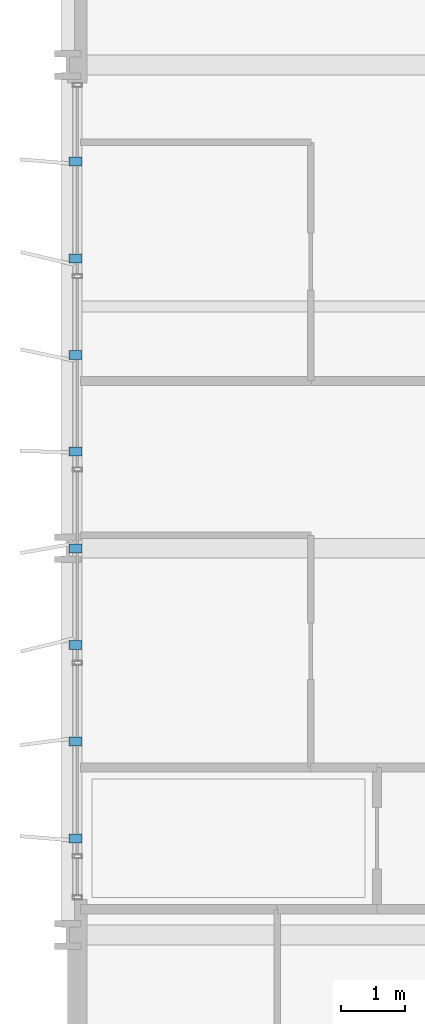
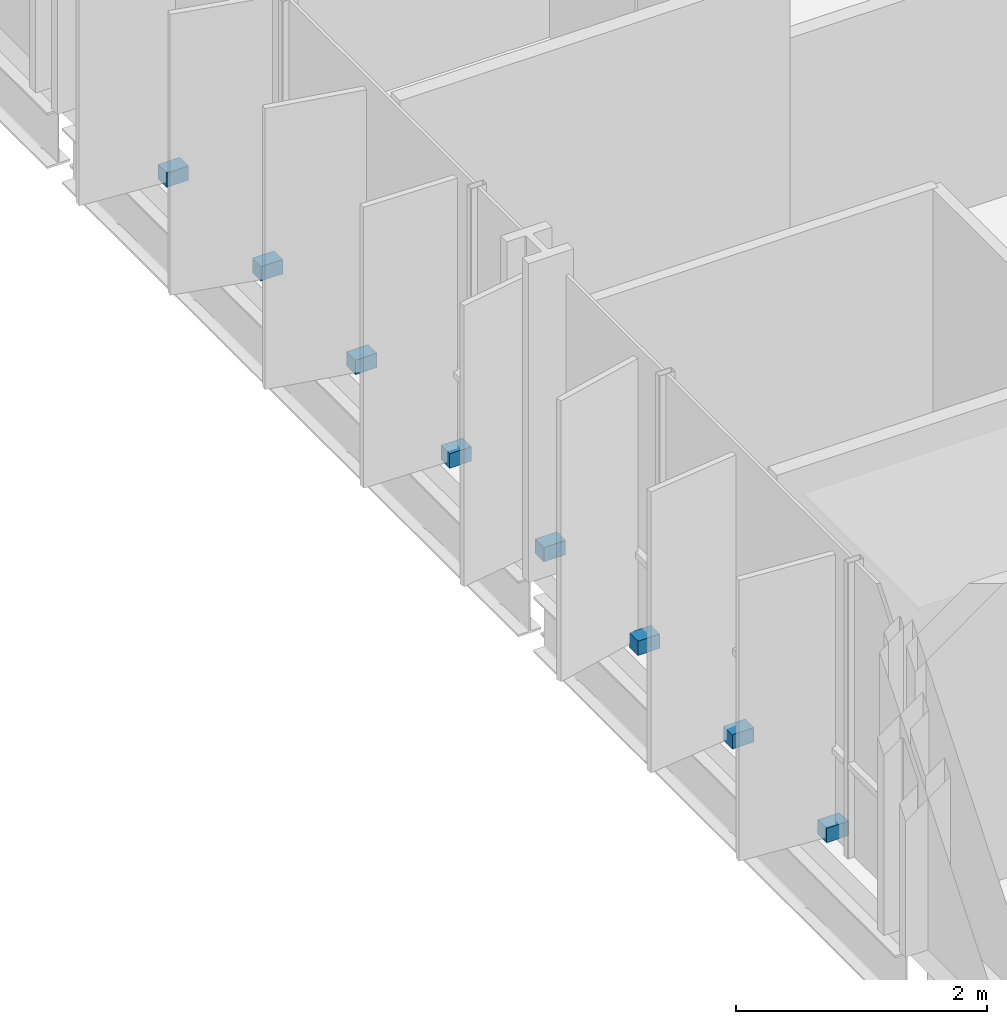
# One storey, part 34 of 39: 8 discrete accessories.
"""IFC4 building model written with IfcOpenShell, lengths in metres."""

import ifcopenshell
import ifcopenshell.guid

model = None  # the IFC model being written
_history = None  # IfcOwnerHistory: only IFC2X3 demands one
_inside = {}  # id of a spatial element -> (the spatial element, [elements in it])
_under = {}  # id of a project, library or spatial element -> (it, [spatial elements below it])
_declared = {}  # id of a project -> (the project, [libraries it declares])
_typed = {}  # id of a type object -> (the type object, [elements of that type])
_made_of = {}  # id of a material, layer set ... -> (it, [elements and type objects made of it])


def new_model(schema):
    """Start an empty IFC model of exactly this schema.

    Asked for "IFC4X3", IfcOpenShell would pick the latest addendum, in which some entities
    have other attributes; the version numbers below select the first issue.
    IFC2X3 requires an IfcOwnerHistory on every rooted entity: one is made here for all.
    """
    global model, _history
    if schema == "IFC4X3":
        model = ifcopenshell.file(schema_version=(4, 3, 0, 0))
    else:
        model = ifcopenshell.file(schema=schema)
    _inside.clear()
    _under.clear()
    _declared.clear()
    _typed.clear()
    _made_of.clear()
    _history = None
    if model.schema == "IFC2X3":
        org = make("IfcOrganization", Name="unknown")
        user = make(
            "IfcPersonAndOrganization",
            ThePerson=make("IfcPerson", FamilyName="unknown"),
            TheOrganization=org,
        )
        app = make(
            "IfcApplication",
            ApplicationDeveloper=org,
            Version="unknown",
            ApplicationFullName="unknown",
            ApplicationIdentifier="unknown",
        )
        _history = make(
            "IfcOwnerHistory",
            OwningUser=user,
            OwningApplication=app,
            ChangeAction="ADDED",
            CreationDate=0,
        )
    return model


def make(cls, **values):
    """One entity of the class cls with the attributes given. An attribute that is None is left unset."""
    return model.create_entity(
        cls, **{name: value for name, value in values.items() if value is not None}
    )


def rooted(cls, **values):
    """An entity with a GlobalId (a new one), such as an element, a storey or a relation."""
    return make(cls, GlobalId=ifcopenshell.guid.new(), OwnerHistory=_history, **values)


def si_unit(unit_type, name, prefix=None):
    """IfcSIUnit, for example si_unit("LENGTHUNIT", "METRE", prefix="MILLI")."""
    return make("IfcSIUnit", UnitType=unit_type, Prefix=prefix, Name=name)


def assignment(units):
    """IfcUnitAssignment: the units of a project."""
    return None if units is None else make("IfcUnitAssignment", Units=units)


def point(xyz):
    """IfcCartesianPoint."""
    return None if xyz is None else make("IfcCartesianPoint", Coordinates=xyz)


def direction(xyz):
    """IfcDirection."""
    return None if xyz is None else make("IfcDirection", DirectionRatios=xyz)


def frame(location, z_axis=None, x_axis=None):
    """IfcAxis2Placement3D, a coordinate frame: its origin and axes. An axis left out is left unset."""
    return make(
        "IfcAxis2Placement3D",
        Location=point(location),
        Axis=direction(z_axis),
        RefDirection=direction(x_axis),
    )


def frame_2d(location, x_axis=None):
    """IfcAxis2Placement2D, a coordinate frame in the plane: its origin and x axis."""
    return make(
        "IfcAxis2Placement2D", Location=point(location), RefDirection=direction(x_axis)
    )


def origin():
    """The frame at (0, 0, 0) with its axes left unset."""
    return frame((0.0, 0.0, 0.0))


def origin_2d():
    """The frame at (0, 0) in the plane with its x axis left unset."""
    return frame_2d((0.0, 0.0))


def place(relative_to, where):
    """IfcLocalPlacement: puts the frame where relative to a parent placement (None: the world)."""
    return make(
        "IfcLocalPlacement", PlacementRelTo=relative_to, RelativePlacement=where
    )


def context(
    kind, dimensions, precision=None, world=None, true_north=None, identifier=None
):
    """IfcGeometricRepresentationContext, for example the 3D "Model" context."""
    return make(
        "IfcGeometricRepresentationContext",
        ContextIdentifier=identifier,
        ContextType=kind,
        CoordinateSpaceDimension=dimensions,
        Precision=precision,
        WorldCoordinateSystem=world,
        TrueNorth=true_north,
    )


def subcontext(parent, identifier, kind, view, scale=None):
    """IfcGeometricRepresentationSubContext, for example "Body" below "Model"."""
    return make(
        "IfcGeometricRepresentationSubContext",
        ContextIdentifier=identifier,
        ContextType=kind,
        ParentContext=parent,
        TargetScale=scale,
        TargetView=view,
    )


def project(units=None, contexts=None):
    """IfcProject with its units and contexts."""
    return rooted(
        "IfcProject",
        Name="project",
        RepresentationContexts=contexts,
        UnitsInContext=assignment(units),
    )


def spatial(cls, under=None, at=None, **own):
    """A site, building, storey or space (cls), placed at a placement, below another one or the project."""
    s = rooted(cls, ObjectPlacement=at, **own)
    if under is not None:
        _under.setdefault(under.id(), (under, []))[1].append(s)
    return s


def profile(cls, at=None, kind="AREA", **sizes):
    """A parametric profile (cls). Its sizes go by their IFC names, for example OverallWidth=200.0."""
    return make(cls, ProfileType=kind, Position=at, **sizes)


def rectangle(**sizes):
    """IfcRectangleProfileDef."""
    return profile("IfcRectangleProfileDef", **sizes)


def extrude(swept, where, along, depth):
    """IfcExtrudedAreaSolid: the profile swept, set in the frame where, extruded along a direction by depth."""
    return make(
        "IfcExtrudedAreaSolid",
        SweptArea=swept,
        Position=where,
        ExtrudedDirection=direction(along),
        Depth=depth,
    )


def shape(context_of_items, identifier, shape_type, items):
    """IfcShapeRepresentation: the items that make up one representation, for example the "Body"."""
    return make(
        "IfcShapeRepresentation",
        ContextOfItems=context_of_items,
        RepresentationIdentifier=identifier,
        RepresentationType=shape_type,
        Items=items,
    )


def material(Name=None, Category=None):
    """IfcMaterial."""
    return make("IfcMaterial", Name=Name, Category=Category)


def made_of(thing, what):
    """Note that an element or type object is made of a material, layer set ...; save() writes the relation."""
    if what is not None:
        _made_of.setdefault(what.id(), (what, []))[1].append(thing)
    return thing


def type_object(cls, material=None, **own):
    """A type object (cls), such as IfcWallType, which elements share."""
    return made_of(rooted(cls, **own), material)


def element(
    cls,
    number,
    at=None,
    inside=None,
    cuts=None,
    type_object=None,
    material=None,
    context=None,
    identifier="Body",
    shape_type=None,
    held_by="IfcProductDefinitionShape",
    body=None,
    shapes=None,
    **own,
):
    """One element of the class cls, such as IfcWall. Its Tag is "e" and its number.

    at: its placement. inside: the storey or other place that contains it. cuts: it is an
    opening in that element (IfcRelVoidsElement). A single representation is given by context,
    identifier, shape_type and body (its items); several are given by shapes. held_by: the class
    of the entity that holds the representations. save() writes the other relations.
    """
    e = rooted(cls, Tag="e%d" % number, ObjectPlacement=at, **own)
    if body is not None:
        shapes = [shape(context, identifier, shape_type, body)]
    if shapes is not None:
        e.Representation = make(held_by, Representations=shapes)
    if inside is not None:
        _inside.setdefault(inside.id(), (inside, []))[1].append(e)
    if cuts is not None:
        rooted(
            "IfcRelVoidsElement", RelatingBuildingElement=cuts, RelatedOpeningElement=e
        )
    if type_object is not None:
        _typed.setdefault(type_object.id(), (type_object, []))[1].append(e)
    return made_of(e, material)


def aggregate(whole, parts):
    """IfcRelAggregates: a whole, such as a stair, and the parts it consists of."""
    return rooted("IfcRelAggregates", RelatingObject=whole, RelatedObjects=parts)


def save(model, path):
    """Write the relations noted so far, then the file.

    IfcRelAggregates (storeys below a building ...), IfcRelContainedInSpatialStructure (elements
    in a storey), IfcRelDefinesByType, IfcRelAssociatesMaterial and IfcRelDeclares: one each for
    every whole, place, type object, material and project.
    """
    for whole, parts in _under.values():
        aggregate(whole, parts)
    for where, things in _inside.values():
        rooted(
            "IfcRelContainedInSpatialStructure",
            RelatedElements=things,
            RelatingStructure=where,
        )
    for kind, things in _typed.values():
        rooted("IfcRelDefinesByType", RelatedObjects=things, RelatingType=kind)
    for what, things in _made_of.values():
        rooted("IfcRelAssociatesMaterial", RelatedObjects=things, RelatingMaterial=what)
    for by, libraries in _declared.values():
        rooted("IfcRelDeclares", RelatingContext=by, RelatedDefinitions=libraries)
    model.write(path)


model = new_model("IFC4")

# Units and contexts
model_context = context("Model", 3, precision=1e-05, world=origin(), true_north=direction((0.0, 1.0)))
body_context = subcontext(model_context, "Body", "Model", "MODEL_VIEW")
ifc_project = project(units=[si_unit("LENGTHUNIT", "METRE"), si_unit("AREAUNIT", "SQUARE_METRE"), si_unit("VOLUMEUNIT", "CUBIC_METRE"), si_unit("PLANEANGLEUNIT", "RADIAN"), si_unit("MASSUNIT", "GRAM", prefix="KILO")], contexts=[model_context])

# Site, building, storey
site_placement = place(None, origin())
site = spatial("IfcSite", under=ifc_project, at=site_placement, CompositionType="ELEMENT")
building_placement = place(site_placement, origin())
building = spatial("IfcBuilding", under=site, at=building_placement, Name="Brevholm Reach", CompositionType="ELEMENT")
storey_placement = place(building_placement, frame((0.0, 0.0, 34.199951171875)))
storey = spatial("IfcBuildingStorey", under=building, at=storey_placement, Name="L08", CompositionType="ELEMENT", Elevation=34.199951171875)

# Discrete accessories
ifc_material = material(Name="Duplex Stainless Steel EN 1.4462", Category="steel")
discrete_accessory_type = type_object("IfcDiscreteAccessoryType", Name="ACC-BRK-01", PredefinedType="BRACKET", material=ifc_material)
for number, where, z_axis, x_axis, name in (
    (1, (0.1201171875, 11.5, 0.0302734375), (0.0, 0.0, 1.0), (-1.0, 0.0, 0.0), "L08 Solar Screen Support Bracket 1"),
    (2, (0.1201171875, 13.0, 0.0302734375), (0.0, 0.0, 1.0), (-1.0, 0.0, 0.0), "L08 Solar Screen Support Bracket 2"),
    (3, (0.1201171875, 14.5, 0.0302734375), (0.0, 0.0, 1.0), (-1.0, 0.0, 0.0), "L08 Solar Screen Support Bracket 3"),
    (4, (0.1201171875, 16.0, 0.0302734375), (0.0, 0.0, 1.0), (-1.0, 0.0, 0.0), "L08 Solar Screen Support Bracket 4"),
    (5, (0.1201171875, 17.5, 0.0302734375), (0.0, 0.0, 1.0), (-1.0, 0.0, 0.0), "L08 Solar Screen Support Bracket 5"),
    (6, (0.1201171875, 19.0, 0.0302734375), (0.0, 0.0, 1.0), (-1.0, 0.0, 0.0), "L08 Solar Screen Support Bracket 6"),
    (7, (0.1201171875, 20.5, 0.0302734375), (0.0, 0.0, 1.0), (-1.0, 0.0, 0.0), "L08 Solar Screen Support Bracket 7"),
    (8, (0.1201171875, 22.0, 0.0302734375), (0.0, 0.0, 1.0), (-1.0, 0.0, 0.0), "L08 Solar Screen Support Bracket 8"),
):
    element("IfcDiscreteAccessory", number, at=place(storey_placement, frame(where, z_axis=z_axis, x_axis=x_axis)), inside=storey, type_object=discrete_accessory_type, Name=name, PredefinedType="BRACKET", context=body_context, shape_type="SweptSolid", body=[
        extrude(rectangle(XDim=0.199951171875, YDim=0.139892578125, at=origin_2d()), origin(), (0.0, 0.0, 1.0), 0.139892578125),
    ])

save(model, "model.ifc")
